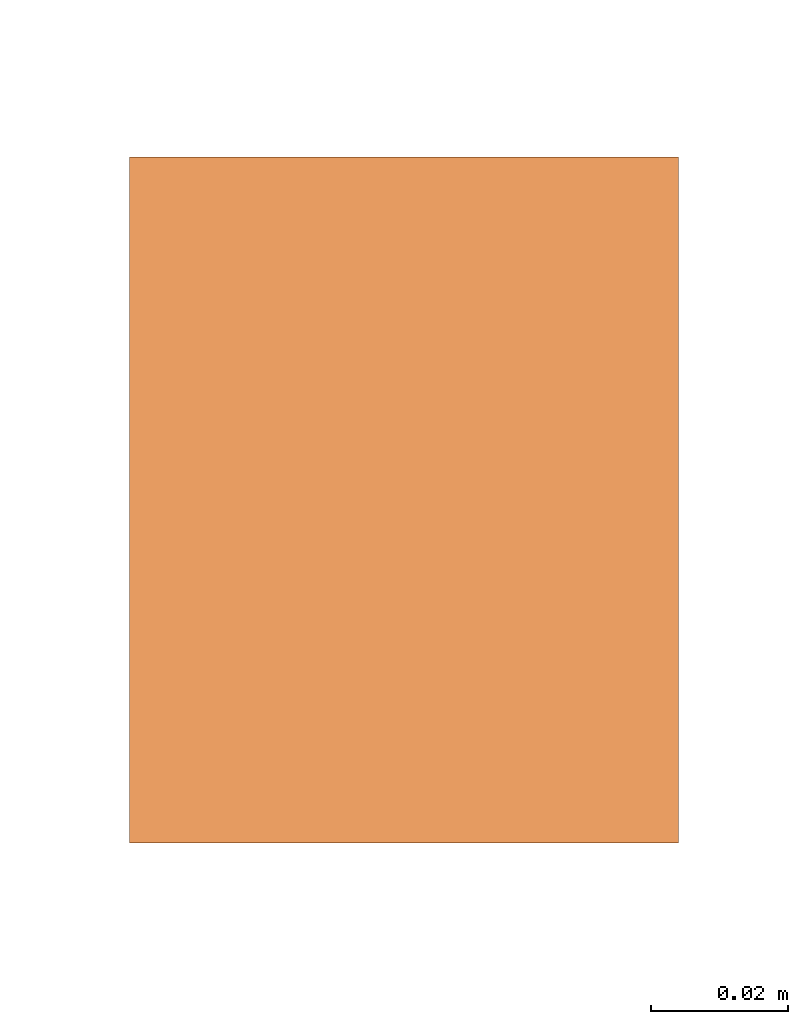
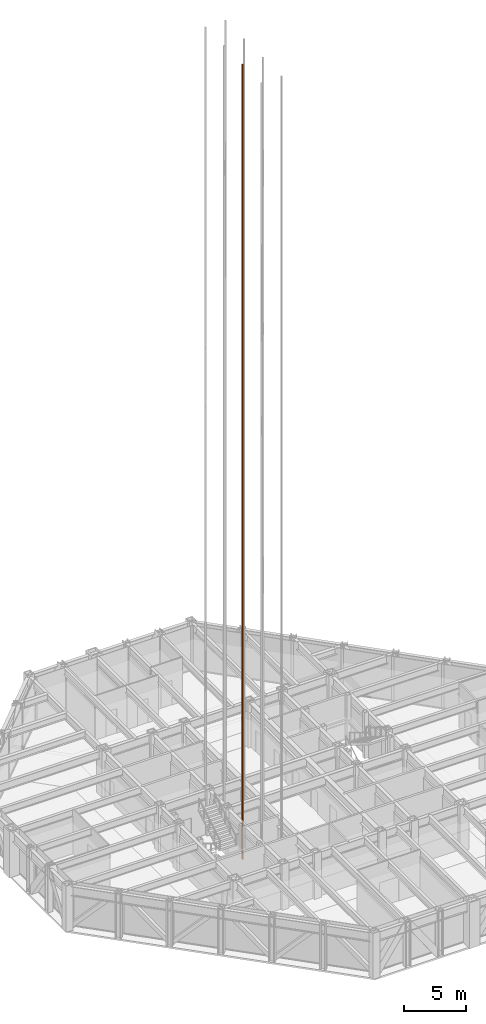
# One storey, part 19 of 24: 1 proxy.
"""IFC4 building model written with IfcOpenShell, lengths in metres."""

from ifc_helpers import new_model, si_unit, direction, frame, origin, origin_2d, place, context, subcontext, project, spatial, rectangle, extrude, material, type_object, element, save


model = new_model("IFC4")

# Units and contexts
model_context = context("Model", 3, precision=1e-05, world=origin(), true_north=direction((0.0, 1.0)))
body_context = subcontext(model_context, "Body", "Model", "MODEL_VIEW")
ifc_project = project(units=[si_unit("LENGTHUNIT", "METRE"), si_unit("AREAUNIT", "SQUARE_METRE"), si_unit("VOLUMEUNIT", "CUBIC_METRE"), si_unit("PLANEANGLEUNIT", "RADIAN"), si_unit("MASSUNIT", "GRAM", prefix="KILO")], contexts=[model_context])

# Site, building, storey
site_placement = place(None, origin())
site = spatial("IfcSite", under=ifc_project, at=site_placement, CompositionType="ELEMENT")
building_placement = place(site_placement, origin())
building = spatial("IfcBuilding", under=site, at=building_placement, Name="Chuquiago Exchange Tower", CompositionType="ELEMENT")
storey_placement = place(building_placement, frame((0.0, 0.0, 180.0)))
storey = spatial("IfcBuildingStorey", under=building, at=storey_placement, Name="L39", CompositionType="ELEMENT", Elevation=180.0)

# Proxy
ifc_material = material(Name="Galvanised steel guide rail", Category="steel")
building_element_proxy_type = type_object("IfcBuildingElementProxyType", Name="LR lift guide rail", PredefinedType="NOTDEFINED", material=ifc_material)
proxy_placement = place(storey_placement, frame((17.06494140625, 19.5, 0.0), z_axis=(0.0, 0.0, 1.0), x_axis=(1.0, 0.0, 0.0)))
element("IfcBuildingElementProxy", 1, at=proxy_placement, inside=storey, type_object=building_element_proxy_type, Name="Lift LC2 guide rail W", PredefinedType="NOTDEFINED", context=body_context, shape_type="SweptSolid", body=[
    extrude(rectangle(XDim=0.080078125, YDim=0.10009765625, at=origin_2d()), origin(), (0.0, 0.0, 1.0), 77.699951171875),
])

save(model, "model.ifc")
